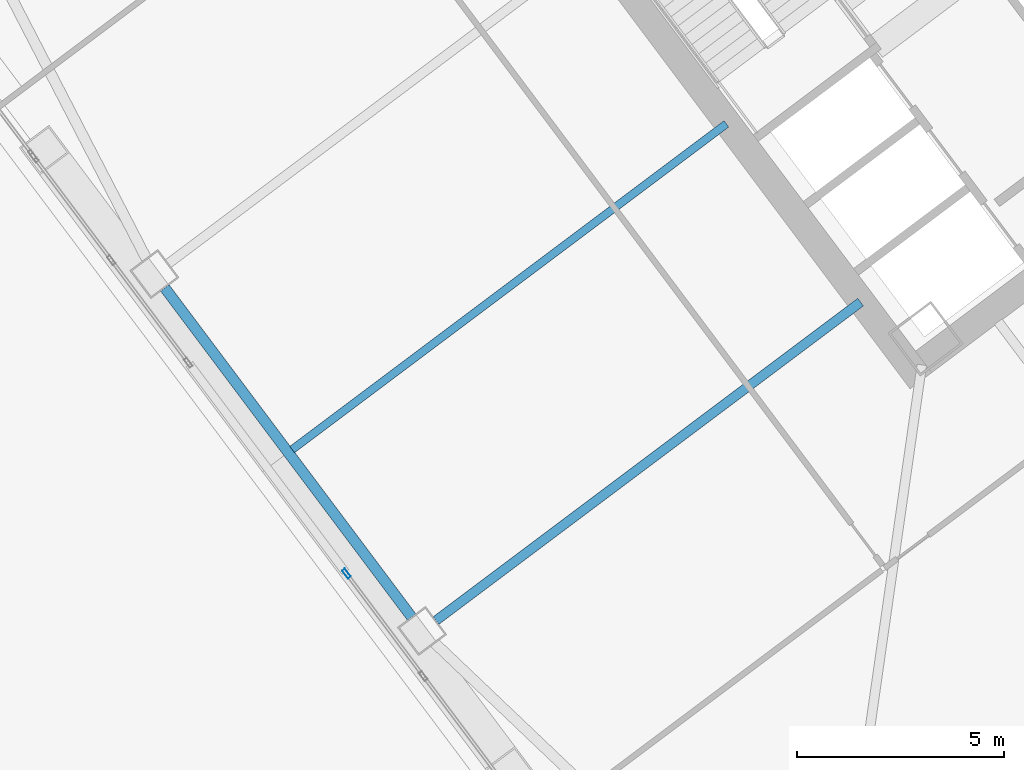
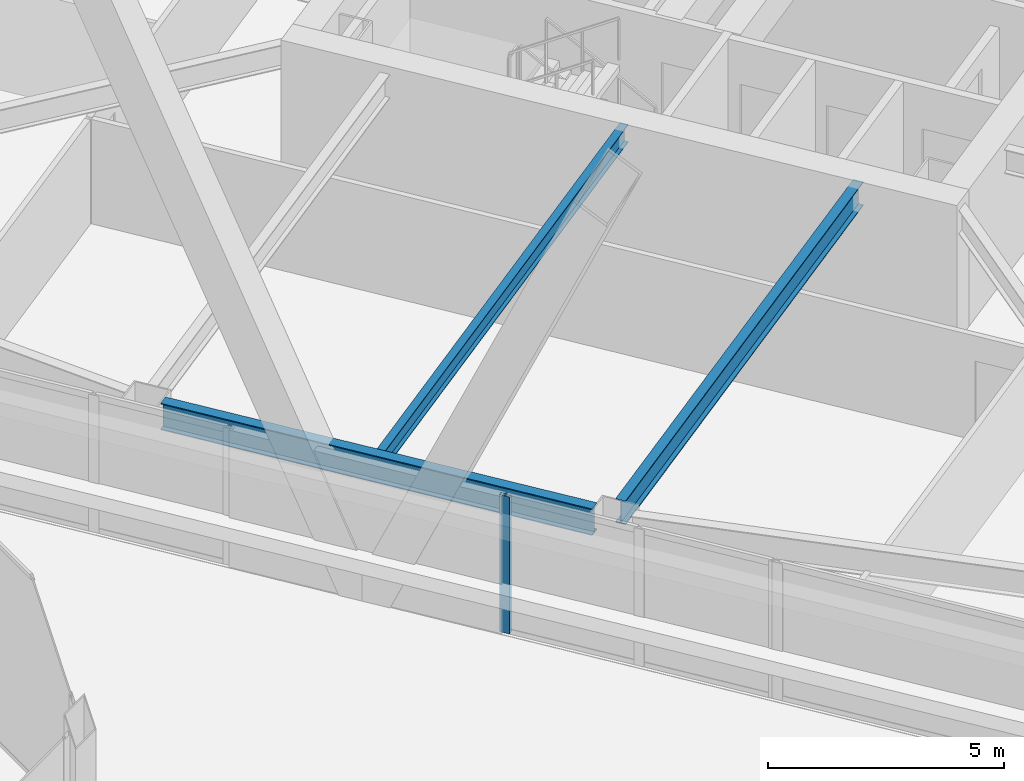
# One storey, part 38 of 83: 3 beams, 1 member, 1 element without a shape of its own.
"""IFC4 building model written with IfcOpenShell, lengths in metres."""

from ifc_helpers import new_model, si_unit, direction, frame, origin, origin_2d, place, context, subcontext, project, spatial, hollow_rectangle, i_section, extrude, material, material_profile, profile_set, type_object, element, aggregate, save


model = new_model("IFC4")

# Units and contexts
model_context = context("Model", 3, precision=1e-05, world=origin(), true_north=direction((0.0, 1.0)))
body_context = subcontext(model_context, "Body", "Model", "MODEL_VIEW")
ifc_project = project(units=[si_unit("LENGTHUNIT", "METRE"), si_unit("AREAUNIT", "SQUARE_METRE"), si_unit("VOLUMEUNIT", "CUBIC_METRE"), si_unit("PLANEANGLEUNIT", "RADIAN"), si_unit("MASSUNIT", "GRAM", prefix="KILO")], contexts=[model_context])

# Site, building, storey
site_placement = place(None, origin())
site = spatial("IfcSite", under=ifc_project, at=site_placement, CompositionType="ELEMENT")
building_placement = place(site_placement, origin())
building = spatial("IfcBuilding", under=site, at=building_placement, Name="Tashvorn Skyway Center", CompositionType="ELEMENT")
storey_placement = place(building_placement, frame((0.0, 0.0, 24.60009765625)))
storey = spatial("IfcBuildingStorey", under=building, at=storey_placement, Name="L05", CompositionType="ELEMENT", Elevation=24.60009765625)

# Beams
ifc_material_1 = material(Name="Steel ASTM A992 Grade 50", Category="steel")
ifc_material_profile_1 = material_profile(ifc_material_1, i_section(OverallWidth=0.22998046875, OverallDepth=0.616943359375, WebThickness=0.01318359375, FlangeThickness=0.022216796875, at=origin_2d()), Name="W24X94")
ifc_profile_set_1 = profile_set([ifc_material_profile_1], Name="Steel ASTM A992 Grade 50")
beam_type_1 = type_object("IfcBeamType", Name="BM-BEAM-W24X94", PredefinedType="BEAM", material=ifc_profile_set_1)
beam_1_placement = place(storey_placement, frame((100.736083984375, 15.302001953125, 3.04150390625), z_axis=(0.800002279907, 0.599996960112, 0.0), x_axis=(-0.599996960112, 0.800002279907, 0.0)))
element("IfcBeam", 1, at=beam_1_placement, inside=storey, type_object=beam_type_1, Name="Tower 2 L05 Primary Floor Girder FC-W2", PredefinedType="BEAM", context=body_context, shape_type="SweptSolid", body=[
    extrude(i_section(OverallWidth=0.22998046875, OverallDepth=0.616943359375, WebThickness=0.01318359375, FlangeThickness=0.022216796875, at=origin_2d()), origin(), (0.0, 0.0, 1.0), 12.85009765625),
])
ifc_material_profile_2 = material_profile(ifc_material_1, i_section(OverallWidth=0.19091796875, OverallDepth=0.4599609375, WebThickness=0.010009765625, FlangeThickness=0.01611328125, at=origin_2d()), Name="W18X55")
ifc_profile_set_2 = profile_set([ifc_material_profile_2], Name="Steel ASTM A992 Grade 50")
beam_type_2 = type_object("IfcBeamType", Name="BM-JOIST-W18X55", PredefinedType="JOIST", material=ifc_profile_set_2)
beam_2_placement = place(storey_placement, frame((107.76806640625, 27.325927734375, 3.119873046875), z_axis=(-0.799997770398, -0.600002972791, 0.0), x_axis=(0.600002972791, -0.799997770398, 0.0)))
element("IfcBeam", 2, at=beam_2_placement, inside=storey, type_object=beam_type_2, Name="Tower 2 L05 Secondary Composite Joist JW", PredefinedType="JOIST", context=body_context, shape_type="SweptSolid", body=[
    extrude(i_section(OverallWidth=0.19091796875, OverallDepth=0.4599609375, WebThickness=0.010009765625, FlangeThickness=0.01611328125, at=origin_2d()), origin(), (0.0, 0.0, 1.0), 13.139892578125),
])
ifc_material_profile_3 = material_profile(ifc_material_1, i_section(OverallWidth=0.256103515625, OverallDepth=0.693115234375, WebThickness=0.014404296875, FlangeThickness=0.023681640625, at=origin_2d()), Name="W27X114")
ifc_profile_set_3 = profile_set([ifc_material_profile_3], Name="Steel ASTM A992 Grade 50")
beam_type_3 = type_object("IfcBeamType", Name="BM-SPANDREL-W27X114", PredefinedType="SPANDREL", material=ifc_profile_set_3)
beam_3_placement = place(storey_placement, frame((94.172119140625, 23.35400390625, 3.00341796875), z_axis=(0.599988234018, -0.800008824351, 0.0), x_axis=(0.800008824351, 0.599988234018, 0.0)))
element("IfcBeam", 3, at=beam_3_placement, inside=storey, type_object=beam_type_3, Name="Tower 2 L05 Spandrel Beam 11", PredefinedType="SPANDREL", context=body_context, shape_type="SweptSolid", body=[
    extrude(i_section(OverallWidth=0.256103515625, OverallDepth=0.693115234375, WebThickness=0.014404296875, FlangeThickness=0.023681640625, at=origin_2d()), origin(), (0.0, 0.0, 1.0), 9.9599609375),
])

# Curtain wall, member
ifc_material_2 = material(Name="Thermally broken bronze-anodized aluminium 6063-T6", Category="aluminium")
curtain_wall_type = type_object("IfcCurtainWallType", Name="CW-CW-Z1", PredefinedType="NOTDEFINED", material=ifc_material_2)
curtain_wall_placement = place(storey_placement, origin())
curtain_wall = element("IfcCurtainWall", 4, at=curtain_wall_placement, inside=storey, type_object=curtain_wall_type, Name="Tower 2 L05 West Unitised Curtain Wall Glazing Group 2", PredefinedType="NOTDEFINED")
ifc_material_profile_4 = material_profile(ifc_material_2, hollow_rectangle(XDim=0.0849609375, YDim=0.239990234375, WallThickness=0.0048828125, at=origin_2d()), Name="ALU-MULL-85x240")
ifc_profile_set_4 = profile_set([ifc_material_profile_4], Name="Thermally broken bronze-anodized aluminium 6063-T6")
member_type = type_object("IfcMemberType", Name="CWM-CW-Z1", PredefinedType="MULLION", material=ifc_profile_set_4)
member_placement = place(storey_placement, frame((98.569580078125, 16.440673828125, 0.0), z_axis=(0.0, 0.0, 1.0), x_axis=(-0.800001906763, -0.599997457641, 0.0)))
member = element("IfcMember", 5, at=member_placement, type_object=member_type, Name="CW-Z1 mullion 3", PredefinedType="MULLION", context=body_context, shape_type="SweptSolid", body=[
    extrude(hollow_rectangle(XDim=0.0849609375, YDim=0.239990234375, WallThickness=0.0048828125, at=origin_2d()), origin(), (0.0, 0.0, 1.0), 3.5498046875),
])
aggregate(curtain_wall, [member])

save(model, "model.ifc")
